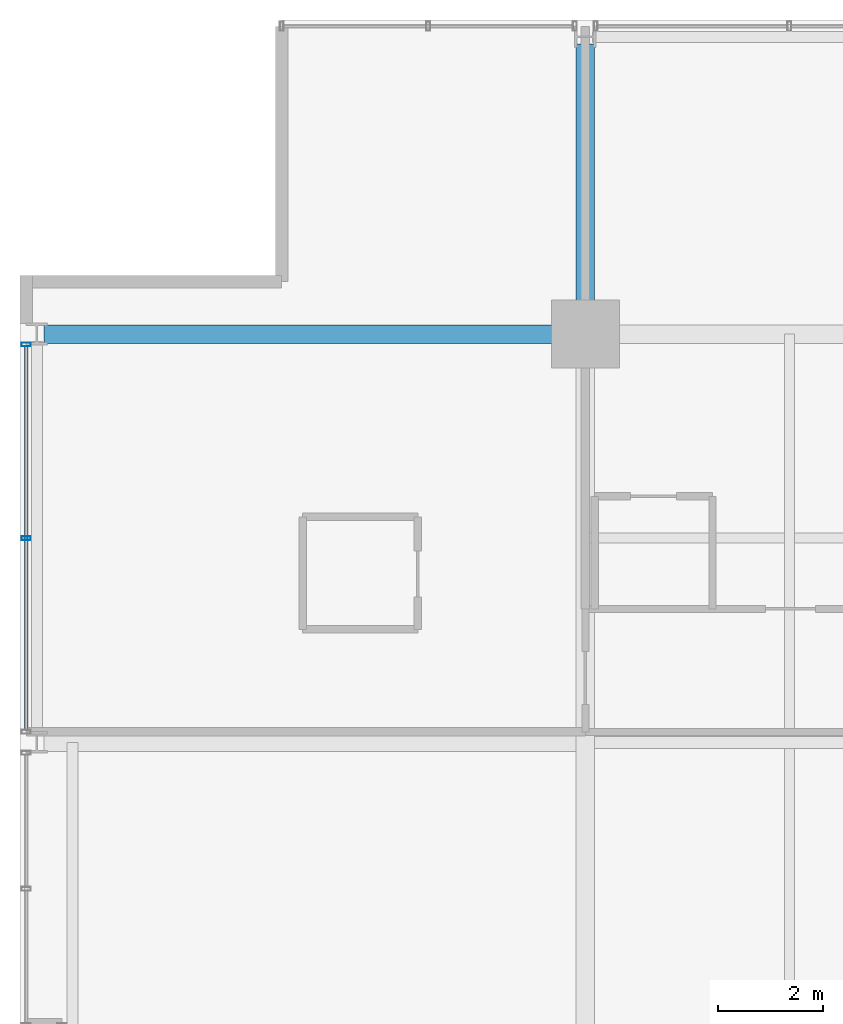
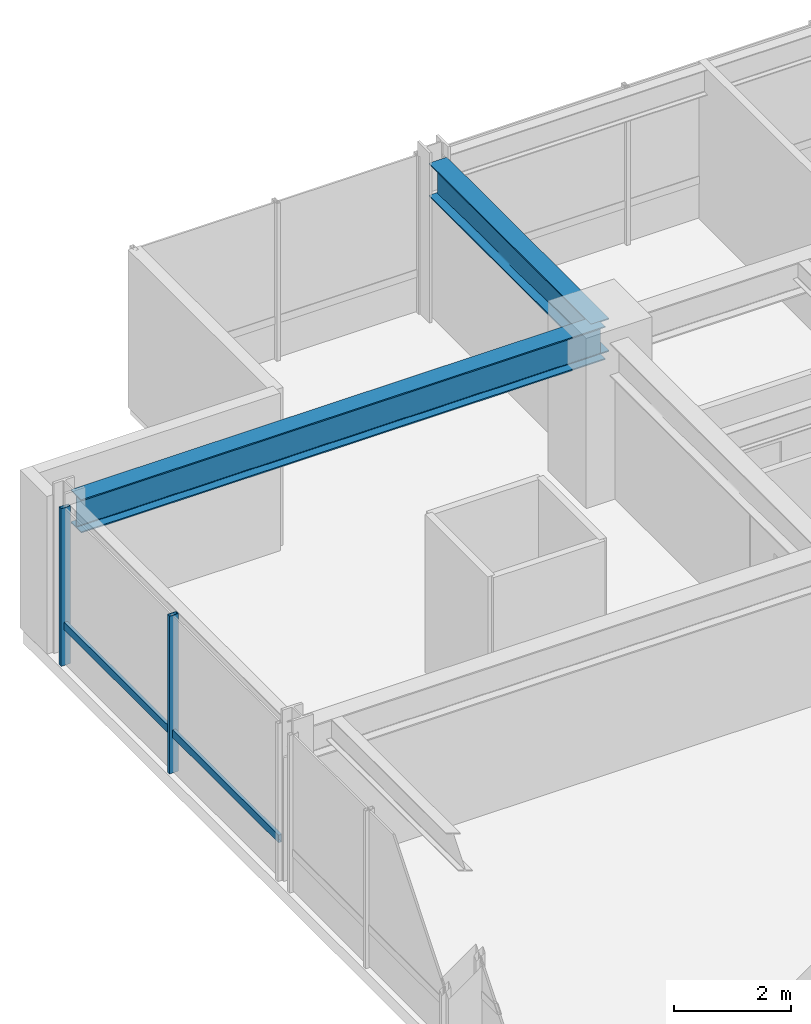
# One storey, part 18 of 32: 3 members, 2 beams, 1 element without a shape of its own.
"""IFC4 building model written with IfcOpenShell, lengths in metres."""

from ifc_helpers import new_model, si_unit, direction, frame, origin, origin_2d, place, context, subcontext, project, spatial, hollow_rectangle, i_section, extrude, material, layer, layer_set, material_profile, profile_set, type_object, element, aggregate, save


model = new_model("IFC4")

# Units and contexts
model_context = context("Model", 3, precision=1e-05, world=origin(), true_north=direction((0.0, 1.0)))
body_context = subcontext(model_context, "Body", "Model", "MODEL_VIEW")
ifc_project = project(units=[si_unit("LENGTHUNIT", "METRE"), si_unit("AREAUNIT", "SQUARE_METRE"), si_unit("VOLUMEUNIT", "CUBIC_METRE"), si_unit("PLANEANGLEUNIT", "RADIAN"), si_unit("MASSUNIT", "GRAM", prefix="KILO")], contexts=[model_context])

# Site, building, storey
site_placement = place(None, origin())
site = spatial("IfcSite", under=ifc_project, at=site_placement, CompositionType="ELEMENT")
building_placement = place(site_placement, origin())
building = spatial("IfcBuilding", under=site, at=building_placement, Name="Drelvath Grand Hotel", CompositionType="ELEMENT")
storey_placement = place(building_placement, frame((0.0, 0.0, 157.5)))
storey = spatial("IfcBuildingStorey", under=building, at=storey_placement, Name="L40", CompositionType="ELEMENT", Elevation=157.5)

# Curtain wall, members
ifc_material_1 = material(Name="Brushed Pale-Silver Anodised Aluminium Frame", Category="aluminium")
ifc_layer = layer(ifc_material_1, 0.199951171875)
ifc_layer_set = layer_set([ifc_layer], Name="Brushed Pale-Silver Anodised Aluminium Frame")
curtain_wall_type = type_object("IfcCurtainWallType", Name="Stick Curtain Wall CW-04 Brushed Silver Upper-Mid", PredefinedType="NOTDEFINED", material=ifc_layer_set)
curtain_wall_placement = place(storey_placement, origin())
curtain_wall = element("IfcCurtainWall", 1, at=curtain_wall_placement, inside=storey, type_object=curtain_wall_type, Name="L40 CW-04 Curtain Wall CW04-L40-WN2", PredefinedType="NOTDEFINED")
ifc_material_profile_1 = material_profile(ifc_material_1, hollow_rectangle(XDim=0.06494140625, YDim=0.159912109375, WallThickness=0.00390625, at=origin_2d()), Name="HSS160X65X4")
ifc_profile_set_1 = profile_set([ifc_material_profile_1], Name="Brushed Pale-Silver Anodised Aluminium Frame")
member_type_1 = type_object("IfcMemberType", Name="Curtain Wall Horizontal Transom CW-04 HSS160X65X4", PredefinedType="USERDEFINED", material=ifc_profile_set_1)
member_1_placement = place(storey_placement, frame((-26.8798828125, 35.639892578125, 0.822509765625), z_axis=(0.0, 1.0, 0.0), x_axis=(-1.0, 0.0, 0.0)))
member_1 = element("IfcMember", 2, at=member_1_placement, type_object=member_type_1, Name="CW04-L40-WN2 Sill Transom", ObjectType="TRANSOM", PredefinedType="USERDEFINED", context=body_context, shape_type="SweptSolid", body=[
    extrude(hollow_rectangle(XDim=0.06494140625, YDim=0.159912109375, WallThickness=0.00390625, at=origin_2d()), origin(), (0.0, 0.0, 1.0), 7.320068359375),
])
ifc_material_profile_2 = material_profile(ifc_material_1, hollow_rectangle(XDim=0.074951171875, YDim=0.179931640625, WallThickness=0.0048828125, at=origin_2d()), Name="HSS180X75X5")
ifc_profile_set_2 = profile_set([ifc_material_profile_2], Name="Brushed Pale-Silver Anodised Aluminium Frame")
member_type_2 = type_object("IfcMemberType", Name="Curtain Wall Vertical Mullion CW-04 HSS180X75X5", PredefinedType="MULLION", material=ifc_profile_set_2)
member_2_placement = place(storey_placement, frame((-26.8798828125, 39.300048828125, 0.0), z_axis=(0.0, 0.0, 1.0), x_axis=(0.0, 1.0, 0.0)))
member_2 = element("IfcMember", 3, at=member_2_placement, type_object=member_type_2, Name="CW04-L40-WN2 Mullion 2", PredefinedType="MULLION", context=body_context, shape_type="SweptSolid", body=[
    extrude(hollow_rectangle(XDim=0.074951171875, YDim=0.179931640625, WallThickness=0.0048828125, at=origin_2d()), origin(), (0.0, 0.0, 1.0), 3.2900390625),
])
member_3_placement = place(storey_placement, frame((-26.8798828125, 43.0, 0.0), z_axis=(0.0, 0.0, 1.0), x_axis=(0.0, 1.0, 0.0)))
member_3 = element("IfcMember", 4, at=member_3_placement, type_object=member_type_2, Name="CW04-L40-WN2 Mullion 3", PredefinedType="MULLION", context=body_context, shape_type="SweptSolid", body=[
    extrude(hollow_rectangle(XDim=0.074951171875, YDim=0.179931640625, WallThickness=0.0048828125, at=origin_2d()), origin(), (0.0, 0.0, 1.0), 3.2900390625),
])
aggregate(curtain_wall, [member_2, member_3, member_1])

# Beams
ifc_material_2 = material(Name="Steel ASTM A992 Gr 50", Category="steel")
ifc_material_profile_3 = material_profile(ifc_material_2, i_section(OverallWidth=0.354736328125, OverallDepth=0.695556640625, WebThickness=0.015380859375, FlangeThickness=0.025146484375, FilletRadius=0.02392578125, at=origin_2d()), Name="W27X146")
ifc_profile_set_3 = profile_set([ifc_material_profile_3], Name="Steel ASTM A992 Gr 50")
beam_type = type_object("IfcBeamType", Name="Primary Floor Girder W27X146", PredefinedType="BEAM", material=ifc_profile_set_3)
beam_1_placement = place(storey_placement, frame((-26.5400390625, 43.199951171875, 2.9423828125), z_axis=(1.0, 0.0, 0.0), x_axis=(0.0, 1.0, 0.0)))
element("IfcBeam", 5, at=beam_1_placement, inside=storey, type_object=beam_type, Name="L40 West Grid Girder G", PredefinedType="BEAM", context=body_context, shape_type="SweptSolid", body=[
    extrude(i_section(OverallWidth=0.354736328125, OverallDepth=0.695556640625, WebThickness=0.015380859375, FlangeThickness=0.025146484375, FilletRadius=0.02392578125, at=origin_2d()), origin(), (0.0, 0.0, 1.0), 10.340087890625),
])
beam_2_placement = place(storey_placement, frame((-16.199951171875, 43.199951171875, 2.9423828125), z_axis=(0.0, 1.0, 0.0), x_axis=(-1.0, 0.0, 0.0)))
element("IfcBeam", 6, at=beam_2_placement, inside=storey, type_object=beam_type, Name="L40 North Grid Girder 3", PredefinedType="BEAM", context=body_context, shape_type="SweptSolid", body=[
    extrude(i_section(OverallWidth=0.354736328125, OverallDepth=0.695556640625, WebThickness=0.015380859375, FlangeThickness=0.025146484375, FilletRadius=0.02392578125, at=origin_2d()), origin(), (0.0, 0.0, 1.0), 5.5400390625),
])

save(model, "model.ifc")
